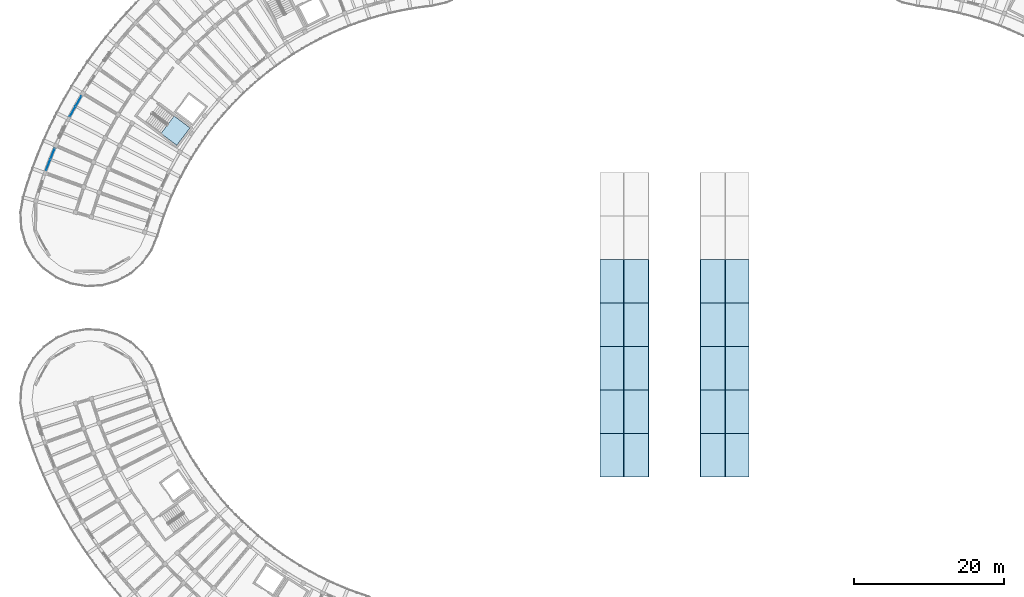
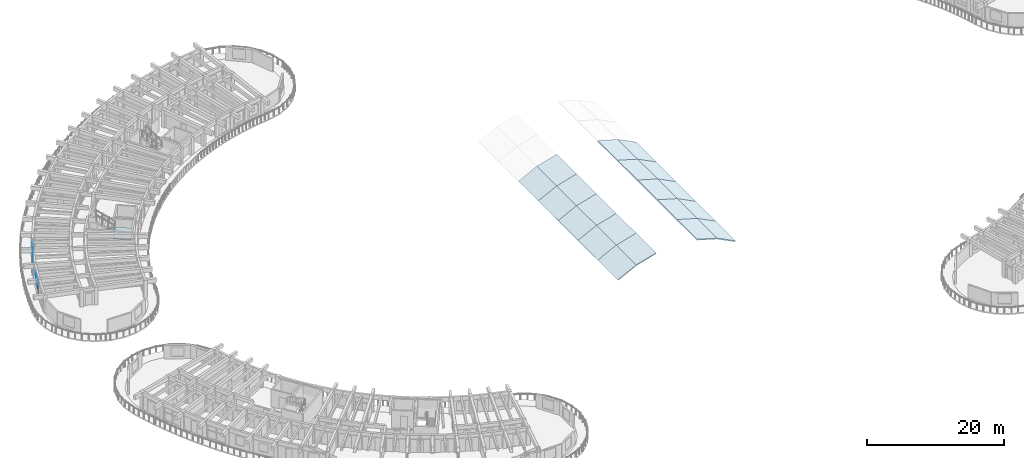
# One storey, part 45 of 96: 21 slabs, 8 plates, 3 elements without a shape of their own.
"""IFC4 building model written with IfcOpenShell, lengths in metres."""

from ifc_helpers import new_model, si_unit, direction, frame, origin, origin_2d, place, context, subcontext, project, spatial, polyline, rectangle, outline, extrude, material, layer, layer_set, type_object, element, aggregate, save


model = new_model("IFC4")

# Units and contexts
model_context = context("Model", 3, precision=1e-05, world=origin(), true_north=direction((0.0, 1.0)))
body_context = subcontext(model_context, "Body", "Model", "MODEL_VIEW")
ifc_project = project(units=[si_unit("LENGTHUNIT", "METRE"), si_unit("AREAUNIT", "SQUARE_METRE"), si_unit("VOLUMEUNIT", "CUBIC_METRE"), si_unit("PLANEANGLEUNIT", "RADIAN"), si_unit("MASSUNIT", "GRAM", prefix="KILO")], contexts=[model_context])

# Site, building, storey
site_placement = place(None, origin())
site = spatial("IfcSite", under=ifc_project, at=site_placement, CompositionType="ELEMENT")
building_placement = place(site_placement, origin())
building = spatial("IfcBuilding", under=site, at=building_placement, Name="Tanwirah Colonnade Gardens", CompositionType="ELEMENT")
storey_placement = place(building_placement, frame((0.0, 0.0, 12.199951171875)))
storey = spatial("IfcBuildingStorey", under=building, at=storey_placement, Name="L03", CompositionType="ELEMENT", Elevation=12.199951171875)

# Curtain wall, plates
ifc_material_1 = material(Name="Bronze-anodised aluminium and solar-control low-E glass", Category="aluminium")
curtain_wall_type = type_object("IfcCurtainWallType", Name="CW-LOB", PredefinedType="NOTDEFINED", material=ifc_material_1)
curtain_wall_1_placement = place(storey_placement, origin())
curtain_wall_1 = element("IfcCurtainWall", 1, at=curtain_wall_1_placement, inside=storey, type_object=curtain_wall_type, Name="Curtain Wall CW-A-L03-OUT-14", PredefinedType="NOTDEFINED")
ifc_material_2 = material(Name="Solar-control low-E double glazing", Category="glass")
ifc_layer_1 = layer(ifc_material_2, 0.028076171875)
ifc_layer_set_1 = layer_set([ifc_layer_1], Name="Solar-control low-E double glazing")
plate_type = type_object("IfcPlateType", Name="CWP-GLZ28", PredefinedType="CURTAIN_PANEL", material=ifc_layer_set_1)
plate_1_placement = place(storey_placement, frame((13.44091796875, 89.942626953125, 0.06005859375), z_axis=(0.0, 0.0, 1.0), x_axis=(-0.488198852899, -0.872732421781, 0.0)))
plate_1 = element("IfcPlate", 2, at=plate_1_placement, type_object=plate_type, Name="CW-LOB panel 1.1", PredefinedType="CURTAIN_PANEL", context=body_context, shape_type="SweptSolid", body=[
    extrude(rectangle(XDim=1.512939453125, YDim=0.028076171875, at=origin_2d()), origin(), (0.0, 0.0, 1.0), 1.3701171875),
])
plate_2_placement = place(storey_placement, frame((13.44091796875, 89.942626953125, 1.490234375), z_axis=(0.0, 0.0, 1.0), x_axis=(-0.488198852899, -0.872732421781, 0.0)))
plate_2 = element("IfcPlate", 3, at=plate_2_placement, type_object=plate_type, Name="CW-LOB panel 1.2", PredefinedType="CURTAIN_PANEL", context=body_context, shape_type="SweptSolid", body=[
    extrude(rectangle(XDim=1.512939453125, YDim=0.028076171875, at=origin_2d()), origin(), (0.0, 0.0, 1.0), 0.804931640625),
])
plate_3_placement = place(storey_placement, frame((12.673095703125, 88.570068359375, 0.06005859375), z_axis=(0.0, 0.0, 1.0), x_axis=(-0.488198852899, -0.872732421781, 0.0)))
plate_3 = element("IfcPlate", 4, at=plate_3_placement, type_object=plate_type, Name="CW-LOB panel 2.1", PredefinedType="CURTAIN_PANEL", context=body_context, shape_type="SweptSolid", body=[
    extrude(rectangle(XDim=1.512939453125, YDim=0.028076171875, at=origin_2d()), origin(), (0.0, 0.0, 1.0), 1.3701171875),
])
plate_4_placement = place(storey_placement, frame((12.673095703125, 88.570068359375, 1.490234375), z_axis=(0.0, 0.0, 1.0), x_axis=(-0.488198852899, -0.872732421781, 0.0)))
plate_4 = element("IfcPlate", 5, at=plate_4_placement, type_object=plate_type, Name="CW-LOB panel 2.2", PredefinedType="CURTAIN_PANEL", context=body_context, shape_type="SweptSolid", body=[
    extrude(rectangle(XDim=1.512939453125, YDim=0.028076171875, at=origin_2d()), origin(), (0.0, 0.0, 1.0), 0.804931640625),
])
aggregate(curtain_wall_1, [plate_1, plate_2, plate_3, plate_4])

curtain_wall_2_placement = place(storey_placement, origin())
curtain_wall_2 = element("IfcCurtainWall", 6, at=curtain_wall_2_placement, inside=storey, type_object=curtain_wall_type, Name="Curtain Wall CW-A-L03-OUT-16", PredefinedType="NOTDEFINED")
plate_5_placement = place(storey_placement, frame((9.977783203125, 82.905029296875, 0.06005859375), z_axis=(0.0, 0.0, 1.0), x_axis=(-0.369207655713, -0.929346924976, 0.0)))
plate_5 = element("IfcPlate", 7, at=plate_5_placement, type_object=plate_type, Name="CW-LOB panel 1.1", PredefinedType="CURTAIN_PANEL", context=body_context, shape_type="SweptSolid", body=[
    extrude(rectangle(XDim=1.512939453125, YDim=0.028076171875, at=origin_2d()), origin(), (0.0, 0.0, 1.0), 1.3701171875),
])
plate_6_placement = place(storey_placement, frame((9.977783203125, 82.905029296875, 1.490234375), z_axis=(0.0, 0.0, 1.0), x_axis=(-0.369207655713, -0.929346924976, 0.0)))
plate_6 = element("IfcPlate", 8, at=plate_6_placement, type_object=plate_type, Name="CW-LOB panel 1.2", PredefinedType="CURTAIN_PANEL", context=body_context, shape_type="SweptSolid", body=[
    extrude(rectangle(XDim=1.512939453125, YDim=0.028076171875, at=origin_2d()), origin(), (0.0, 0.0, 1.0), 0.804931640625),
])
plate_7_placement = place(storey_placement, frame((9.39697265625, 81.443359375, 0.06005859375), z_axis=(0.0, 0.0, 1.0), x_axis=(-0.369207655713, -0.929346924976, 0.0)))
plate_7 = element("IfcPlate", 9, at=plate_7_placement, type_object=plate_type, Name="CW-LOB panel 2.1", PredefinedType="CURTAIN_PANEL", context=body_context, shape_type="SweptSolid", body=[
    extrude(rectangle(XDim=1.512939453125, YDim=0.028076171875, at=origin_2d()), origin(), (0.0, 0.0, 1.0), 1.3701171875),
])
plate_8_placement = place(storey_placement, frame((9.39697265625, 81.443359375, 1.490234375), z_axis=(0.0, 0.0, 1.0), x_axis=(-0.369207655713, -0.929346924976, 0.0)))
plate_8 = element("IfcPlate", 10, at=plate_8_placement, type_object=plate_type, Name="CW-LOB panel 2.2", PredefinedType="CURTAIN_PANEL", context=body_context, shape_type="SweptSolid", body=[
    extrude(rectangle(XDim=1.512939453125, YDim=0.028076171875, at=origin_2d()), origin(), (0.0, 0.0, 1.0), 0.804931640625),
])
aggregate(curtain_wall_2, [plate_5, plate_6, plate_7, plate_8])

# Slabs
ifc_material_3 = material(Name="Precast concrete C45/55", Category="concrete")
ifc_layer_2 = layer(ifc_material_3, 0.179931640625)
ifc_layer_set_2 = layer_set([ifc_layer_2], Name="Precast concrete C45/55")
slab_type_1 = type_object("IfcSlabType", Name="RF-VAULT-180", PredefinedType="ROOF", material=ifc_layer_set_2)
slab_1_placement = place(storey_placement, frame((83.0751953125, 39.800048828125, 1.55126953125), z_axis=(-0.451999731987, 0.0, 0.892018072846), x_axis=(0.892018072846, 0.0, 0.451999731987)))
element("IfcSlab", 11, at=slab_1_placement, inside=storey, type_object=slab_type_1, Name="Community Hall Barrel Vault Roof Strip 1.3", PredefinedType="ROOF", context=body_context, shape_type="SweptSolid", body=[
    extrude(outline(polyline([(0.0, 0.0), (3.484407313586195, 0.0), (3.484407313586195, 5.800048828125), (0.0, 5.800048828125), (0.0, 0.0)])), origin(), (0.0, 0.0, -1.0), 0.179931640625),
])
for number, where, z_axis, x_axis, name in (
    (12, (86.183349609375, 39.800048828125, 3.126220703125), (-0.277671862389, 0.0, 0.960675979109), (0.960675979109, 0.0, 0.277671862389), "Community Hall Barrel Vault Roof Strip 1.4"),
    (13, (96.46923828125, 39.800048828125, 4.09375), (0.277671862389, 0.0, 0.960675979109), (0.960675979109, 0.0, -0.277671862389), "Community Hall Barrel Vault Roof Strip 1.7"),
):
    element("IfcSlab", number, at=place(storey_placement, frame(where, z_axis=z_axis, x_axis=x_axis)), inside=storey, type_object=slab_type_1, Name=name, PredefinedType="ROOF", context=body_context, shape_type="SweptSolid", body=[
        extrude(outline(polyline([(0.0, 0.0), (3.4844340674350285, 0.0), (3.4844340674350285, 5.800048828124999), (0.0, 5.800048828124999), (0.0, 0.0)])), origin(), (0.0, 0.0, -1.0), 0.179931640625),
    ])
slab_2_placement = place(storey_placement, frame((99.816650390625, 39.800048828125, 3.126220703125), z_axis=(0.451999731987, 0.0, 0.892018072846), x_axis=(0.892018072846, 0.0, -0.451999731987)))
element("IfcSlab", 14, at=slab_2_placement, inside=storey, type_object=slab_type_1, Name="Community Hall Barrel Vault Roof Strip 1.8", PredefinedType="ROOF", context=body_context, shape_type="SweptSolid", body=[
    extrude(outline(polyline([(0.0, 0.0), (3.484407313586195, 0.0), (3.484407313586195, 5.800048828125), (0.0, 5.800048828125), (0.0, 0.0)])), origin(), (0.0, 0.0, -1.0), 0.179931640625),
])
slab_3_placement = place(storey_placement, frame((83.0751953125, 45.60009765625, 1.55126953125), z_axis=(-0.451999731987, 0.0, 0.892018072846), x_axis=(0.892018072846, 0.0, 0.451999731987)))
element("IfcSlab", 15, at=slab_3_placement, inside=storey, type_object=slab_type_1, Name="Community Hall Barrel Vault Roof Strip 2.3", PredefinedType="ROOF", context=body_context, shape_type="SweptSolid", body=[
    extrude(outline(polyline([(0.0, 0.0), (3.484407313586195, 0.0), (3.484407313586195, 5.7998046875), (0.0, 5.7998046875), (0.0, 0.0)])), origin(), (0.0, 0.0, -1.0), 0.179931640625),
])
for number, where, z_axis, x_axis, name in (
    (16, (86.183349609375, 45.60009765625, 3.126220703125), (-0.277671862389, 0.0, 0.960675979109), (0.960675979109, 0.0, 0.277671862389), "Community Hall Barrel Vault Roof Strip 2.4"),
    (17, (96.46923828125, 45.60009765625, 4.09375), (0.277671862389, 0.0, 0.960675979109), (0.960675979109, 0.0, -0.277671862389), "Community Hall Barrel Vault Roof Strip 2.7"),
):
    element("IfcSlab", number, at=place(storey_placement, frame(where, z_axis=z_axis, x_axis=x_axis)), inside=storey, type_object=slab_type_1, Name=name, PredefinedType="ROOF", context=body_context, shape_type="SweptSolid", body=[
        extrude(outline(polyline([(0.0, 0.0), (3.4844340674350285, 0.0), (3.4844340674350285, 5.7998046875), (0.0, 5.7998046875), (0.0, 0.0)])), origin(), (0.0, 0.0, -1.0), 0.179931640625),
    ])
slab_4_placement = place(storey_placement, frame((99.816650390625, 45.60009765625, 3.126220703125), z_axis=(0.451999731987, 0.0, 0.892018072846), x_axis=(0.892018072846, 0.0, -0.451999731987)))
element("IfcSlab", 18, at=slab_4_placement, inside=storey, type_object=slab_type_1, Name="Community Hall Barrel Vault Roof Strip 2.8", PredefinedType="ROOF", context=body_context, shape_type="SweptSolid", body=[
    extrude(outline(polyline([(0.0, 0.0), (3.484407313586195, 0.0), (3.484407313586195, 5.7998046875), (0.0, 5.7998046875), (0.0, 0.0)])), origin(), (0.0, 0.0, -1.0), 0.179931640625),
])
slab_5_placement = place(storey_placement, frame((83.0751953125, 51.39990234375, 1.55126953125), z_axis=(-0.451999731987, 0.0, 0.892018072846), x_axis=(0.892018072846, 0.0, 0.451999731987)))
element("IfcSlab", 19, at=slab_5_placement, inside=storey, type_object=slab_type_1, Name="Community Hall Barrel Vault Roof Strip 3.3", PredefinedType="ROOF", context=body_context, shape_type="SweptSolid", body=[
    extrude(outline(polyline([(0.0, 0.0), (3.484407313586195, 0.0), (3.484407313586195, 5.800048828125), (0.0, 5.800048828125), (0.0, 0.0)])), origin(), (0.0, 0.0, -1.0), 0.179931640625),
])
for number, where, z_axis, x_axis, name in (
    (20, (86.183349609375, 51.39990234375, 3.126220703125), (-0.277671862389, 0.0, 0.960675979109), (0.960675979109, 0.0, 0.277671862389), "Community Hall Barrel Vault Roof Strip 3.4"),
    (21, (96.46923828125, 51.39990234375, 4.09375), (0.277671862389, 0.0, 0.960675979109), (0.960675979109, 0.0, -0.277671862389), "Community Hall Barrel Vault Roof Strip 3.7"),
):
    element("IfcSlab", number, at=place(storey_placement, frame(where, z_axis=z_axis, x_axis=x_axis)), inside=storey, type_object=slab_type_1, Name=name, PredefinedType="ROOF", context=body_context, shape_type="SweptSolid", body=[
        extrude(outline(polyline([(0.0, 0.0), (3.4844340674350285, 0.0), (3.4844340674350285, 5.800048828124999), (0.0, 5.800048828124999), (0.0, 0.0)])), origin(), (0.0, 0.0, -1.0), 0.179931640625),
    ])
for number, where, z_axis, x_axis, name in (
    (22, (99.816650390625, 51.39990234375, 3.126220703125), (0.451999731987, 0.0, 0.892018072846), (0.892018072846, 0.0, -0.451999731987), "Community Hall Barrel Vault Roof Strip 3.8"),
    (23, (83.0751953125, 57.199951171875, 1.55126953125), (-0.451999731987, 0.0, 0.892018072846), (0.892018072846, 0.0, 0.451999731987), "Community Hall Barrel Vault Roof Strip 4.3"),
):
    element("IfcSlab", number, at=place(storey_placement, frame(where, z_axis=z_axis, x_axis=x_axis)), inside=storey, type_object=slab_type_1, Name=name, PredefinedType="ROOF", context=body_context, shape_type="SweptSolid", body=[
        extrude(outline(polyline([(0.0, 0.0), (3.484407313586195, 0.0), (3.484407313586195, 5.800048828125), (0.0, 5.800048828125), (0.0, 0.0)])), origin(), (0.0, 0.0, -1.0), 0.179931640625),
    ])
for number, where, z_axis, x_axis, name in (
    (24, (86.183349609375, 57.199951171875, 3.126220703125), (-0.277671862389, 0.0, 0.960675979109), (0.960675979109, 0.0, 0.277671862389), "Community Hall Barrel Vault Roof Strip 4.4"),
    (25, (96.46923828125, 57.199951171875, 4.09375), (0.277671862389, 0.0, 0.960675979109), (0.960675979109, 0.0, -0.277671862389), "Community Hall Barrel Vault Roof Strip 4.7"),
):
    element("IfcSlab", number, at=place(storey_placement, frame(where, z_axis=z_axis, x_axis=x_axis)), inside=storey, type_object=slab_type_1, Name=name, PredefinedType="ROOF", context=body_context, shape_type="SweptSolid", body=[
        extrude(outline(polyline([(0.0, 0.0), (3.4844340674350285, 0.0), (3.4844340674350285, 5.800048828124999), (0.0, 5.800048828124999), (0.0, 0.0)])), origin(), (0.0, 0.0, -1.0), 0.179931640625),
    ])
for number, where, z_axis, x_axis, name in (
    (26, (99.816650390625, 57.199951171875, 3.126220703125), (0.451999731987, 0.0, 0.892018072846), (0.892018072846, 0.0, -0.451999731987), "Community Hall Barrel Vault Roof Strip 4.8"),
    (27, (83.0751953125, 63.0, 1.55126953125), (-0.451999731987, 0.0, 0.892018072846), (0.892018072846, 0.0, 0.451999731987), "Community Hall Barrel Vault Roof Strip 5.3"),
):
    element("IfcSlab", number, at=place(storey_placement, frame(where, z_axis=z_axis, x_axis=x_axis)), inside=storey, type_object=slab_type_1, Name=name, PredefinedType="ROOF", context=body_context, shape_type="SweptSolid", body=[
        extrude(outline(polyline([(0.0, 0.0), (3.484407313586195, 0.0), (3.484407313586195, 5.800048828125), (0.0, 5.800048828125), (0.0, 0.0)])), origin(), (0.0, 0.0, -1.0), 0.179931640625),
    ])
for number, where, z_axis, x_axis, name in (
    (28, (86.183349609375, 63.0, 3.126220703125), (-0.277671862389, 0.0, 0.960675979109), (0.960675979109, 0.0, 0.277671862389), "Community Hall Barrel Vault Roof Strip 5.4"),
    (29, (96.46923828125, 63.0, 4.09375), (0.277671862389, 0.0, 0.960675979109), (0.960675979109, 0.0, -0.277671862389), "Community Hall Barrel Vault Roof Strip 5.7"),
):
    element("IfcSlab", number, at=place(storey_placement, frame(where, z_axis=z_axis, x_axis=x_axis)), inside=storey, type_object=slab_type_1, Name=name, PredefinedType="ROOF", context=body_context, shape_type="SweptSolid", body=[
        extrude(outline(polyline([(0.0, 0.0), (3.4844340674350285, 0.0), (3.4844340674350285, 5.800048828124999), (0.0, 5.800048828124999), (0.0, 0.0)])), origin(), (0.0, 0.0, -1.0), 0.179931640625),
    ])
slab_6_placement = place(storey_placement, frame((99.816650390625, 63.0, 3.126220703125), z_axis=(0.451999731987, 0.0, 0.892018072846), x_axis=(0.892018072846, 0.0, -0.451999731987)))
element("IfcSlab", 30, at=slab_6_placement, inside=storey, type_object=slab_type_1, Name="Community Hall Barrel Vault Roof Strip 5.8", PredefinedType="ROOF", context=body_context, shape_type="SweptSolid", body=[
    extrude(outline(polyline([(0.0, 0.0), (3.484407313586195, 0.0), (3.484407313586195, 5.800048828125), (0.0, 5.800048828125), (0.0, 0.0)])), origin(), (0.0, 0.0, -1.0), 0.179931640625),
])

# Stair, slab
ifc_material_4 = material(Name="Precast concrete C40/50", Category="concrete")
stair_type = type_object("IfcStairType", Name="ST-RES168", PredefinedType="HALF_TURN_STAIR", material=ifc_material_4)
stair_placement = place(storey_placement, origin())
stair = element("IfcStair", 31, at=stair_placement, inside=storey, type_object=stair_type, Name="L03 Block A Core 2 Exit Stair", PredefinedType="HALF_TURN_STAIR")
ifc_layer_3 = layer(ifc_material_4, 0.205078125)
ifc_layer_set_3 = layer_set([ifc_layer_3], Name="Precast concrete C40/50")
slab_type_2 = type_object("IfcSlabType", Name="SL-LND-205", PredefinedType="LANDING", material=ifc_layer_set_3)
slab_7_placement = place(storey_placement, frame((0.0, 0.0, 1.47509765625)))
slab_7 = element("IfcSlab", 32, at=slab_7_placement, type_object=slab_type_2, Name="ST-A2 landing 1", PredefinedType="LANDING", context=body_context, shape_type="SweptSolid", body=[
    extrude(outline(polyline([(24.44970703125, 85.623046875), (26.553955078125, 84.037353515625), (28.311279296875, 86.369384765625), (26.20703125, 87.955078125), (24.44970703125, 85.623046875)])), origin(), (0.0, 0.0, 1.0), 0.204833984375),
])
aggregate(stair, [slab_7])

save(model, "model.ifc")
